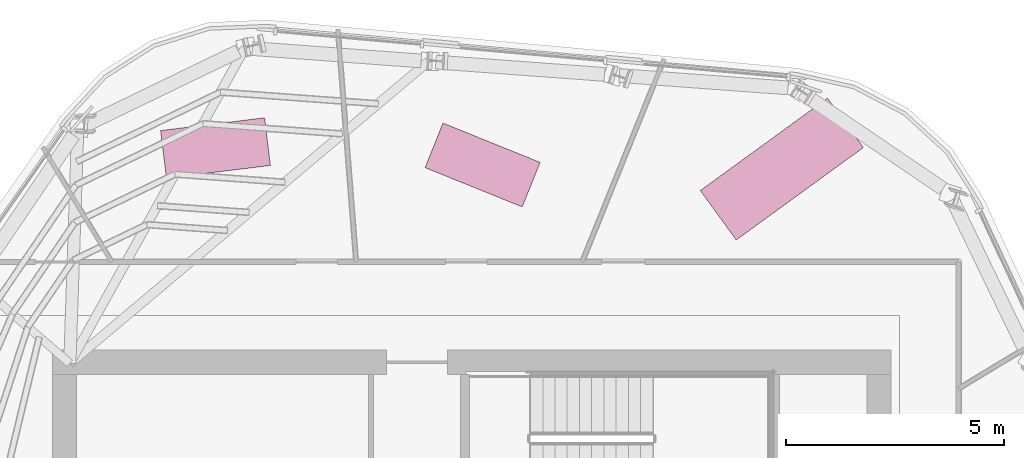
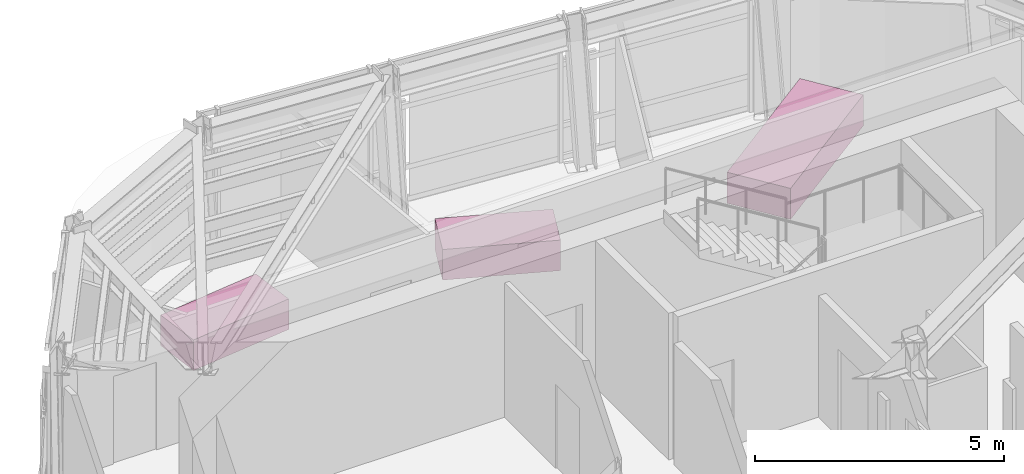
# One storey, part 12 of 12: 3 furniture elements.
"""IFC4 building model written with IfcOpenShell, lengths in metres."""

from ifc_helpers import new_model, si_unit, direction, frame, origin, origin_2d, place, context, subcontext, project, spatial, rectangle, extrude, material, type_object, element, save


model = new_model("IFC4")

# Units and contexts
model_context = context("Model", 3, precision=1e-05, world=origin(), true_north=direction((0.0, 1.0)))
body_context = subcontext(model_context, "Body", "Model", "MODEL_VIEW")
ifc_project = project(units=[si_unit("LENGTHUNIT", "METRE"), si_unit("AREAUNIT", "SQUARE_METRE"), si_unit("VOLUMEUNIT", "CUBIC_METRE"), si_unit("PLANEANGLEUNIT", "RADIAN"), si_unit("MASSUNIT", "GRAM", prefix="KILO")], contexts=[model_context])

# Site, building, storey
site_placement = place(None, origin())
site = spatial("IfcSite", under=ifc_project, at=site_placement, CompositionType="ELEMENT")
building_placement = place(site_placement, origin())
building = spatial("IfcBuilding", under=site, at=building_placement, Name="Valkerne Bourse Tower", CompositionType="ELEMENT")
storey_placement = place(building_placement, frame((0.0, 0.0, 262.199951171875)))
storey = spatial("IfcBuildingStorey", under=building, at=storey_placement, Name="L66", CompositionType="ELEMENT", Elevation=262.199951171875)

# Furniture
ifc_material = material(Name="Architectural White Oak Timber", Category="wood")
furniture_type_1 = type_object("IfcFurnitureType", Name="FURN-CONF-3600", AssemblyPlace="NOTDEFINED", PredefinedType="TABLE", material=ifc_material)
furniture_placement = place(storey_placement, frame((53.905029296875, 39.84912109375, 0.044921875), z_axis=(0.0, 0.0, 1.0), x_axis=(0.809016994375, 0.587785252292, 0.0)))
element("IfcFurniture", 1, at=furniture_placement, inside=storey, type_object=furniture_type_1, Name="L66 Suite Worktable 06", PredefinedType="TABLE", context=body_context, shape_type="SweptSolid", body=[
    extrude(rectangle(XDim=3.60009765625, YDim=1.39990234375, at=origin_2d()), origin(), (0.0, 0.0, 1.0), 0.760009765625),
])
furniture_type_2 = type_object("IfcFurnitureType", Name="FURN-DESK-2400", AssemblyPlace="NOTDEFINED", PredefinedType="DESK", material=ifc_material)
for number, where, z_axis, x_axis, name in (
    (2, (47.052001953125, 39.94189453125, 0.045166015625), (0.0, 0.0, 1.0), (-0.927183854567, 0.374606593416, 0.0), "L66 Suite Worktable 04"),
    (3, (40.93603515625, 40.3310546875, 0.045166015625), (0.0, 0.0, 1.0), (0.992546151641, 0.121869343405, 0.0), "L66 Suite Worktable 05"),
):
    element("IfcFurniture", number, at=place(storey_placement, frame(where, z_axis=z_axis, x_axis=x_axis)), inside=storey, type_object=furniture_type_2, Name=name, PredefinedType="DESK", context=body_context, shape_type="SweptSolid", body=[
        extrude(rectangle(XDim=2.39990234375, YDim=1.10009765625, at=origin_2d()), origin(), (0.0, 0.0, 1.0), 0.75),
    ])

save(model, "model.ifc")
